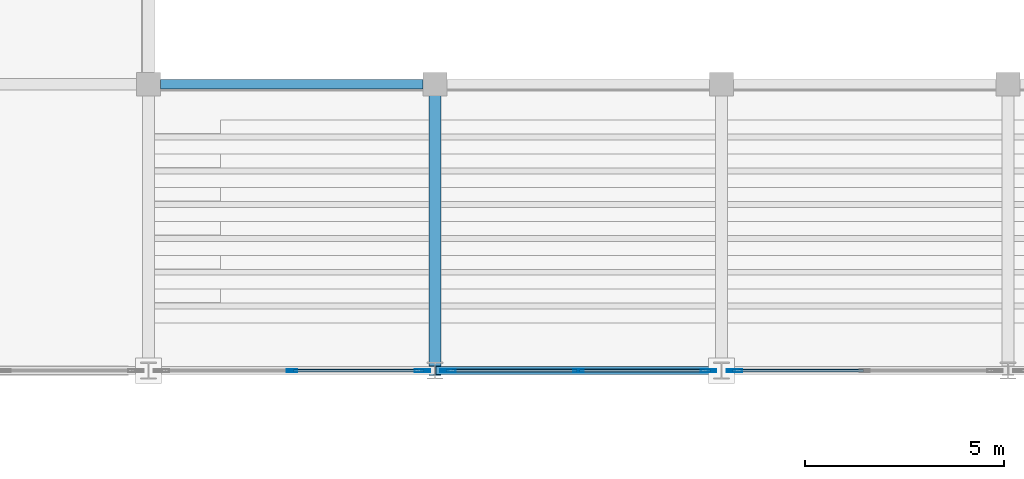
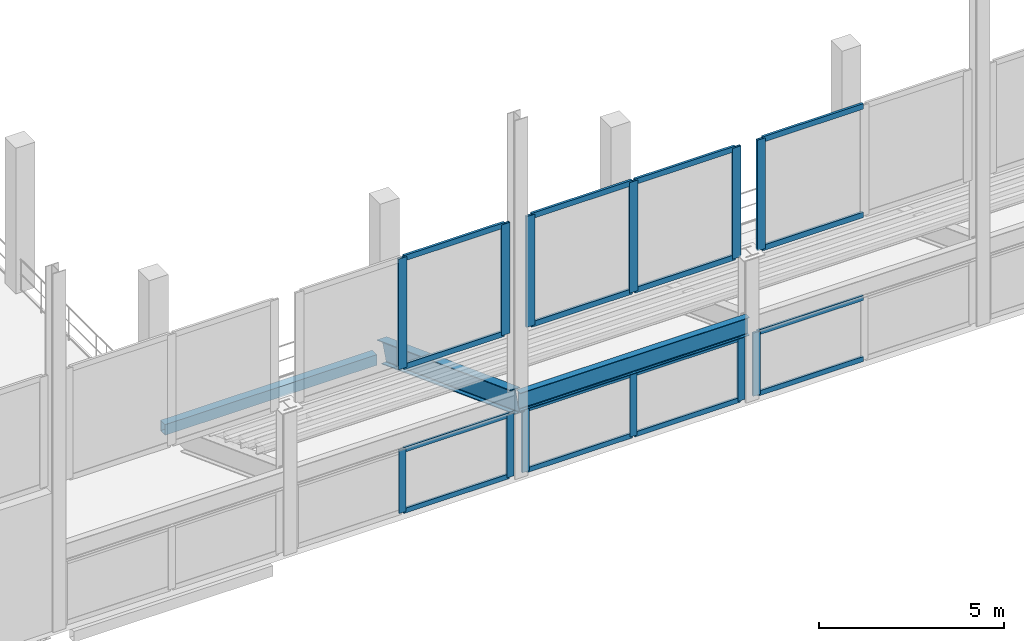
# One storey, part 20 of 120: 28 members, 3 beams, 6 elements without a shape of their own.
"""IFC4 building model written with IfcOpenShell, lengths in metres."""

from ifc_helpers import new_model, si_unit, direction, frame, origin, origin_2d, place, context, subcontext, project, spatial, hollow_rectangle, i_section, extrude, material, material_profile, profile_set, type_object, element, aggregate, save


model = new_model("IFC4")

# Units and contexts
model_context = context("Model", 3, precision=1e-05, world=origin(), true_north=direction((0.0, 1.0)))
body_context = subcontext(model_context, "Body", "Model", "MODEL_VIEW")
ifc_project = project(units=[si_unit("LENGTHUNIT", "METRE"), si_unit("AREAUNIT", "SQUARE_METRE"), si_unit("VOLUMEUNIT", "CUBIC_METRE"), si_unit("PLANEANGLEUNIT", "RADIAN"), si_unit("MASSUNIT", "GRAM", prefix="KILO")], contexts=[model_context])

# Site, building, storey
site_placement = place(None, origin())
site = spatial("IfcSite", under=ifc_project, at=site_placement, CompositionType="ELEMENT")
building_placement = place(site_placement, origin())
building = spatial("IfcBuilding", under=site, at=building_placement, Name="Vesperath Aquatics Centre", CompositionType="ELEMENT")
storey_placement = place(building_placement, frame((0.0, 0.0, 10.199951171875)))
storey = spatial("IfcBuildingStorey", under=building, at=storey_placement, Name="L02", CompositionType="ELEMENT", Elevation=10.199951171875)

# Beams
ifc_material_1 = material(Name="Steel Q355D", Category="steel")
ifc_material_profile_1 = material_profile(ifc_material_1, i_section(OverallWidth=0.300048828125, OverallDepth=0.699951171875, WebThickness=0.012939453125, FlangeThickness=0.02392578125, FilletRadius=0.028076171875, at=origin_2d()), Name="HN 700x300x13x24")
ifc_profile_set_1 = profile_set([ifc_material_profile_1], Name="Steel Q355D")
beam_type_1 = type_object("IfcBeamType", Name="BM-RK02", PredefinedType="USERDEFINED", material=ifc_profile_set_1)
beam_1_placement = place(storey_placement, frame((21.60009765625, 21.60009765625, -0.300048828125), z_axis=(0.0, -0.93632395855, 0.351137358659), x_axis=(1.0, 0.0, 0.0)))
element("IfcBeam", 1, at=beam_1_placement, inside=storey, type_object=beam_type_1, Name="Upper Stand RAKER Beam RK02 South 4", ObjectType="RAKER", PredefinedType="USERDEFINED", context=body_context, shape_type="SweptSolid", body=[
    extrude(i_section(OverallWidth=0.300048828125, OverallDepth=0.699951171875, WebThickness=0.012939453125, FlangeThickness=0.02392578125, FilletRadius=0.028076171875, at=origin_2d()), origin(), (0.0, 0.0, 1.0), 7.68994140625),
])
ifc_material_profile_2 = material_profile(ifc_material_1, i_section(OverallWidth=0.199951171875, OverallDepth=0.60009765625, WebThickness=0.010986328125, FlangeThickness=0.01708984375, FilletRadius=0.02197265625, at=origin_2d()), Name="HN 600x200x11x17")
ifc_profile_set_2 = profile_set([ifc_material_profile_2], Name="Steel Q355D")
beam_type_2 = type_object("IfcBeamType", Name="BM-RKH1", PredefinedType="BEAM", material=ifc_profile_set_2)
beam_2_placement = place(storey_placement, frame((21.6201171875, 14.39990234375, 2.400146484375), z_axis=(1.0, 0.0, 0.0), x_axis=(0.0, 1.0, 0.0)))
element("IfcBeam", 2, at=beam_2_placement, inside=storey, type_object=beam_type_2, Name="Upper Bowl Rim Girder RKH1 South 4-5", PredefinedType="BEAM", context=body_context, shape_type="SweptSolid", body=[
    extrude(i_section(OverallWidth=0.199951171875, OverallDepth=0.60009765625, WebThickness=0.010986328125, FlangeThickness=0.01708984375, FilletRadius=0.02197265625, at=origin_2d()), origin(), (0.0, 0.0, 1.0), 7.159912109375),
])
ifc_material_profile_3 = material_profile(ifc_material_1, hollow_rectangle(XDim=0.25, YDim=0.35009765625, WallThickness=0.011962890625, at=origin_2d()), Name="RHS 350x250x12")
ifc_profile_set_3 = profile_set([ifc_material_profile_3], Name="Steel Q355D")
beam_type_3 = type_object("IfcBeamType", Name="BM-SP02", PredefinedType="SPANDREL", material=ifc_profile_set_3)
beam_3_placement = place(storey_placement, frame((14.699951171875, 21.60009765625, -0.43505859375), z_axis=(1.0, 0.0, 0.0), x_axis=(0.0, 1.0, 0.0)))
element("IfcBeam", 3, at=beam_3_placement, inside=storey, type_object=beam_type_3, Name="Floor Girder SP02 L02 D 3-4", PredefinedType="SPANDREL", context=body_context, shape_type="SweptSolid", body=[
    extrude(hollow_rectangle(XDim=0.25, YDim=0.35009765625, WallThickness=0.011962890625, at=origin_2d()), origin(), (0.0, 0.0, 1.0), 6.60009765625),
])

# Curtain wall, members
ifc_material_2 = material(Name="Thermally broken anodised bronze aluminium curtain wall", Category="aluminium")
curtain_wall_type_1 = type_object("IfcCurtainWallType", Name="CW-08", PredefinedType="NOTDEFINED", material=ifc_material_2)
curtain_wall_1_placement = place(storey_placement, origin())
curtain_wall_1 = element("IfcCurtainWall", 4, at=curtain_wall_1_placement, inside=storey, type_object=curtain_wall_type_1, Name="Natatorium Gable West Curtain Wall CW08 S-2W", PredefinedType="NOTDEFINED")
ifc_material_3 = material(Name="Thermally broken anodised aluminium", Category="aluminium")
ifc_material_profile_4 = material_profile(ifc_material_3, hollow_rectangle(XDim=0.074951171875, YDim=0.260009765625, WallThickness=0.006103515625, at=origin_2d()), Name="CWM 75x260x6")
ifc_profile_set_4 = profile_set([ifc_material_profile_4], Name="Thermally broken anodised aluminium")
member_type_1 = type_object("IfcMemberType", Name="MB-CWM1", PredefinedType="MULLION", material=ifc_profile_set_4)
member_1_placement = place(storey_placement, frame((18.0, 14.39990234375, 4.75), z_axis=(0.0, 0.0, 1.0), x_axis=(0.0, 1.0, 0.0)))
member_1 = element("IfcMember", 5, at=member_1_placement, type_object=member_type_1, Name="CW08 mullion 2", PredefinedType="MULLION", context=body_context, shape_type="SweptSolid", body=[
    extrude(hollow_rectangle(XDim=0.074951171875, YDim=0.260009765625, WallThickness=0.006103515625, at=origin_2d()), origin(), (0.0, 0.0, 1.0), 3.650146484375),
])
member_2_placement = place(storey_placement, frame((21.21240234375, 14.39990234375, 4.75), z_axis=(0.0, 0.0, 1.0), x_axis=(0.0, 1.0, 0.0)))
member_2 = element("IfcMember", 6, at=member_2_placement, type_object=member_type_1, Name="CW08 mullion 3", PredefinedType="MULLION", context=body_context, shape_type="SweptSolid", body=[
    extrude(hollow_rectangle(XDim=0.074951171875, YDim=0.260009765625, WallThickness=0.006103515625, at=origin_2d()), origin(), (0.0, 0.0, 1.0), 3.650146484375),
])

curtain_wall_2_placement = place(storey_placement, origin())
curtain_wall_2 = element("IfcCurtainWall", 7, at=curtain_wall_2_placement, inside=storey, type_object=curtain_wall_type_1, Name="Natatorium Gable East Curtain Wall CW08 S-2E", PredefinedType="NOTDEFINED")
member_3_placement = place(storey_placement, frame((21.987548828125, 14.39990234375, 4.75), z_axis=(0.0, 0.0, 1.0), x_axis=(0.0, 1.0, 0.0)))
member_3 = element("IfcMember", 8, at=member_3_placement, type_object=member_type_1, Name="CW08 mullion 1", PredefinedType="MULLION", context=body_context, shape_type="SweptSolid", body=[
    extrude(hollow_rectangle(XDim=0.074951171875, YDim=0.260009765625, WallThickness=0.006103515625, at=origin_2d()), origin(), (0.0, 0.0, 1.0), 3.650146484375),
])
member_4_placement = place(storey_placement, frame((25.199951171875, 14.39990234375, 4.75), z_axis=(0.0, 0.0, 1.0), x_axis=(0.0, 1.0, 0.0)))
member_4 = element("IfcMember", 9, at=member_4_placement, type_object=member_type_1, Name="CW08 mullion 2", PredefinedType="MULLION", context=body_context, shape_type="SweptSolid", body=[
    extrude(hollow_rectangle(XDim=0.074951171875, YDim=0.260009765625, WallThickness=0.006103515625, at=origin_2d()), origin(), (0.0, 0.0, 1.0), 3.650146484375),
])
member_5_placement = place(storey_placement, frame((28.41259765625, 14.39990234375, 4.75), z_axis=(0.0, 0.0, 1.0), x_axis=(0.0, 1.0, 0.0)))
member_5 = element("IfcMember", 10, at=member_5_placement, type_object=member_type_1, Name="CW08 mullion 3", PredefinedType="MULLION", context=body_context, shape_type="SweptSolid", body=[
    extrude(hollow_rectangle(XDim=0.074951171875, YDim=0.260009765625, WallThickness=0.006103515625, at=origin_2d()), origin(), (0.0, 0.0, 1.0), 3.650146484375),
])

# Curtain wall, member
curtain_wall_3_placement = place(storey_placement, origin())
curtain_wall_3 = element("IfcCurtainWall", 11, at=curtain_wall_3_placement, inside=storey, type_object=curtain_wall_type_1, Name="Natatorium Gable West Curtain Wall CW08 S-3W", PredefinedType="NOTDEFINED")
member_6_placement = place(storey_placement, frame((29.1875, 14.39990234375, 4.75), z_axis=(0.0, 0.0, 1.0), x_axis=(0.0, 1.0, 0.0)))
member_6 = element("IfcMember", 12, at=member_6_placement, type_object=member_type_1, Name="CW08 mullion 1", PredefinedType="MULLION", context=body_context, shape_type="SweptSolid", body=[
    extrude(hollow_rectangle(XDim=0.074951171875, YDim=0.260009765625, WallThickness=0.006103515625, at=origin_2d()), origin(), (0.0, 0.0, 1.0), 3.650146484375),
])

# Curtain wall, members
curtain_wall_type_2 = type_object("IfcCurtainWallType", Name="CW-06", PredefinedType="NOTDEFINED", material=ifc_material_2)
curtain_wall_4_placement = place(storey_placement, origin())
curtain_wall_4 = element("IfcCurtainWall", 13, at=curtain_wall_4_placement, inside=storey, type_object=curtain_wall_type_2, Name="Facade Curtain Wall CW06 L02_S_02_02", PredefinedType="NOTDEFINED")
ifc_material_profile_5 = material_profile(ifc_material_3, hollow_rectangle(XDim=0.070068359375, YDim=0.219970703125, WallThickness=0.0048828125, at=origin_2d()), Name="CWM 70x220x5")
ifc_profile_set_5 = profile_set([ifc_material_profile_5], Name="Thermally broken anodised aluminium")
member_type_2 = type_object("IfcMemberType", Name="MB-CWM2", PredefinedType="MULLION", material=ifc_profile_set_5)
member_7_placement = place(storey_placement, frame((18.0, 14.39990234375, 0.0), z_axis=(0.0, 0.0, 1.0), x_axis=(0.0, 1.0, 0.0)))
member_7 = element("IfcMember", 14, at=member_7_placement, type_object=member_type_2, Name="CW06 mullion 2", PredefinedType="MULLION", context=body_context, shape_type="SweptSolid", body=[
    extrude(hollow_rectangle(XDim=0.070068359375, YDim=0.219970703125, WallThickness=0.0048828125, at=origin_2d()), origin(), (0.0, 0.0, 1.0), 2.080078125),
])
member_8_placement = place(storey_placement, frame((21.361572265625, 14.39990234375, 0.0), z_axis=(0.0, 0.0, 1.0), x_axis=(0.0, 1.0, 0.0)))
member_8 = element("IfcMember", 15, at=member_8_placement, type_object=member_type_2, Name="CW06 mullion 3", PredefinedType="MULLION", context=body_context, shape_type="SweptSolid", body=[
    extrude(hollow_rectangle(XDim=0.070068359375, YDim=0.219970703125, WallThickness=0.0048828125, at=origin_2d()), origin(), (0.0, 0.0, 1.0), 2.080078125),
])

curtain_wall_5_placement = place(storey_placement, origin())
curtain_wall_5 = element("IfcCurtainWall", 16, at=curtain_wall_5_placement, inside=storey, type_object=curtain_wall_type_2, Name="Facade Curtain Wall CW06 L02_S_03_02", PredefinedType="NOTDEFINED")
member_9_placement = place(storey_placement, frame((21.83837890625, 14.39990234375, 0.0), z_axis=(0.0, 0.0, 1.0), x_axis=(0.0, 1.0, 0.0)))
member_9 = element("IfcMember", 17, at=member_9_placement, type_object=member_type_2, Name="CW06 mullion 1", PredefinedType="MULLION", context=body_context, shape_type="SweptSolid", body=[
    extrude(hollow_rectangle(XDim=0.070068359375, YDim=0.219970703125, WallThickness=0.0048828125, at=origin_2d()), origin(), (0.0, 0.0, 1.0), 2.080078125),
])
member_10_placement = place(storey_placement, frame((25.199951171875, 14.39990234375, 0.0), z_axis=(0.0, 0.0, 1.0), x_axis=(0.0, 1.0, 0.0)))
member_10 = element("IfcMember", 18, at=member_10_placement, type_object=member_type_2, Name="CW06 mullion 2", PredefinedType="MULLION", context=body_context, shape_type="SweptSolid", body=[
    extrude(hollow_rectangle(XDim=0.070068359375, YDim=0.219970703125, WallThickness=0.0048828125, at=origin_2d()), origin(), (0.0, 0.0, 1.0), 2.080078125),
])
member_11_placement = place(storey_placement, frame((28.5615234375, 14.39990234375, 0.0), z_axis=(0.0, 0.0, 1.0), x_axis=(0.0, 1.0, 0.0)))
member_11 = element("IfcMember", 19, at=member_11_placement, type_object=member_type_2, Name="CW06 mullion 3", PredefinedType="MULLION", context=body_context, shape_type="SweptSolid", body=[
    extrude(hollow_rectangle(XDim=0.070068359375, YDim=0.219970703125, WallThickness=0.0048828125, at=origin_2d()), origin(), (0.0, 0.0, 1.0), 2.080078125),
])

# Curtain wall, member
curtain_wall_6_placement = place(storey_placement, origin())
curtain_wall_6 = element("IfcCurtainWall", 20, at=curtain_wall_6_placement, inside=storey, type_object=curtain_wall_type_2, Name="Facade Curtain Wall CW06 L02_S_04_02", PredefinedType="NOTDEFINED")
member_12_placement = place(storey_placement, frame((29.03857421875, 14.39990234375, 0.0), z_axis=(0.0, 0.0, 1.0), x_axis=(0.0, 1.0, 0.0)))
member_12 = element("IfcMember", 21, at=member_12_placement, type_object=member_type_2, Name="CW06 mullion 1", PredefinedType="MULLION", context=body_context, shape_type="SweptSolid", body=[
    extrude(hollow_rectangle(XDim=0.070068359375, YDim=0.219970703125, WallThickness=0.0048828125, at=origin_2d()), origin(), (0.0, 0.0, 1.0), 2.080078125),
])

# Member
ifc_material_profile_6 = material_profile(ifc_material_3, hollow_rectangle(XDim=0.074951171875, YDim=0.179931640625, WallThickness=0.0048828125, at=origin_2d()), Name="CWT 75x180x5")
ifc_profile_set_6 = profile_set([ifc_material_profile_6], Name="Thermally broken anodised aluminium")
member_type_3 = type_object("IfcMemberType", Name="MB-CWT1", PredefinedType="USERDEFINED", material=ifc_profile_set_6)
member_13_placement = place(storey_placement, frame((18.03759765625, 14.39990234375, 4.78759765625), z_axis=(1.0, 0.0, 0.0), x_axis=(0.0, 1.0, 0.0)))
member_13 = element("IfcMember", 22, at=member_13_placement, type_object=member_type_3, Name="CW08 transom 2.1", ObjectType="TRANSOM", PredefinedType="USERDEFINED", context=body_context, shape_type="SweptSolid", body=[
    extrude(hollow_rectangle(XDim=0.074951171875, YDim=0.179931640625, WallThickness=0.0048828125, at=origin_2d()), origin(), (0.0, 0.0, 1.0), 3.137451171875),
])

member_14_placement = place(storey_placement, frame((18.03759765625, 14.39990234375, 8.362548828125), z_axis=(1.0, 0.0, 0.0), x_axis=(0.0, 1.0, 0.0)))
member_14 = element("IfcMember", 23, at=member_14_placement, type_object=member_type_3, Name="CW08 transom 2.2", ObjectType="TRANSOM", PredefinedType="USERDEFINED", context=body_context, shape_type="SweptSolid", body=[
    extrude(hollow_rectangle(XDim=0.074951171875, YDim=0.179931640625, WallThickness=0.0048828125, at=origin_2d()), origin(), (0.0, 0.0, 1.0), 3.137451171875),
])

aggregate(curtain_wall_1, [member_1, member_2, member_13, member_14])

member_15_placement = place(storey_placement, frame((22.02490234375, 14.39990234375, 4.78759765625), z_axis=(1.0, 0.0, 0.0), x_axis=(0.0, 1.0, 0.0)))
member_15 = element("IfcMember", 24, at=member_15_placement, type_object=member_type_3, Name="CW08 transom 1.1", ObjectType="TRANSOM", PredefinedType="USERDEFINED", context=body_context, shape_type="SweptSolid", body=[
    extrude(hollow_rectangle(XDim=0.074951171875, YDim=0.179931640625, WallThickness=0.0048828125, at=origin_2d()), origin(), (0.0, 0.0, 1.0), 3.1376953125),
])

member_16_placement = place(storey_placement, frame((22.02490234375, 14.39990234375, 8.362548828125), z_axis=(1.0, 0.0, 0.0), x_axis=(0.0, 1.0, 0.0)))
member_16 = element("IfcMember", 25, at=member_16_placement, type_object=member_type_3, Name="CW08 transom 1.2", ObjectType="TRANSOM", PredefinedType="USERDEFINED", context=body_context, shape_type="SweptSolid", body=[
    extrude(hollow_rectangle(XDim=0.074951171875, YDim=0.179931640625, WallThickness=0.0048828125, at=origin_2d()), origin(), (0.0, 0.0, 1.0), 3.1376953125),
])

member_17_placement = place(storey_placement, frame((25.237548828125, 14.39990234375, 4.78759765625), z_axis=(1.0, 0.0, 0.0), x_axis=(0.0, 1.0, 0.0)))
member_17 = element("IfcMember", 26, at=member_17_placement, type_object=member_type_3, Name="CW08 transom 2.1", ObjectType="TRANSOM", PredefinedType="USERDEFINED", context=body_context, shape_type="SweptSolid", body=[
    extrude(hollow_rectangle(XDim=0.074951171875, YDim=0.179931640625, WallThickness=0.0048828125, at=origin_2d()), origin(), (0.0, 0.0, 1.0), 3.137451171875),
])

member_18_placement = place(storey_placement, frame((25.237548828125, 14.39990234375, 8.362548828125), z_axis=(1.0, 0.0, 0.0), x_axis=(0.0, 1.0, 0.0)))
member_18 = element("IfcMember", 27, at=member_18_placement, type_object=member_type_3, Name="CW08 transom 2.2", ObjectType="TRANSOM", PredefinedType="USERDEFINED", context=body_context, shape_type="SweptSolid", body=[
    extrude(hollow_rectangle(XDim=0.074951171875, YDim=0.179931640625, WallThickness=0.0048828125, at=origin_2d()), origin(), (0.0, 0.0, 1.0), 3.137451171875),
])

aggregate(curtain_wall_2, [member_3, member_4, member_5, member_15, member_16, member_17, member_18])

member_19_placement = place(storey_placement, frame((29.22509765625, 14.39990234375, 4.78759765625), z_axis=(1.0, 0.0, 0.0), x_axis=(0.0, 1.0, 0.0)))
member_19 = element("IfcMember", 28, at=member_19_placement, type_object=member_type_3, Name="CW08 transom 1.1", ObjectType="TRANSOM", PredefinedType="USERDEFINED", context=body_context, shape_type="SweptSolid", body=[
    extrude(hollow_rectangle(XDim=0.074951171875, YDim=0.179931640625, WallThickness=0.0048828125, at=origin_2d()), origin(), (0.0, 0.0, 1.0), 3.137451171875),
])

member_20_placement = place(storey_placement, frame((29.22509765625, 14.39990234375, 8.362548828125), z_axis=(1.0, 0.0, 0.0), x_axis=(0.0, 1.0, 0.0)))
member_20 = element("IfcMember", 29, at=member_20_placement, type_object=member_type_3, Name="CW08 transom 1.2", ObjectType="TRANSOM", PredefinedType="USERDEFINED", context=body_context, shape_type="SweptSolid", body=[
    extrude(hollow_rectangle(XDim=0.074951171875, YDim=0.179931640625, WallThickness=0.0048828125, at=origin_2d()), origin(), (0.0, 0.0, 1.0), 3.137451171875),
])

aggregate(curtain_wall_3, [member_6, member_19, member_20])

ifc_material_profile_7 = material_profile(ifc_material_3, hollow_rectangle(XDim=0.070068359375, YDim=0.159912109375, WallThickness=0.0048828125, at=origin_2d()), Name="CWT 70x160x5")
ifc_profile_set_7 = profile_set([ifc_material_profile_7], Name="Thermally broken anodised aluminium")
member_type_4 = type_object("IfcMemberType", Name="MB-CWT2", PredefinedType="USERDEFINED", material=ifc_profile_set_7)
member_21_placement = place(storey_placement, frame((18.034912109375, 14.39990234375, 0.03515625), z_axis=(1.0, 0.0, 0.0), x_axis=(0.0, 1.0, 0.0)))
member_21 = element("IfcMember", 30, at=member_21_placement, type_object=member_type_4, Name="CW06 transom 2.1", ObjectType="TRANSOM", PredefinedType="USERDEFINED", context=body_context, shape_type="SweptSolid", body=[
    extrude(hollow_rectangle(XDim=0.070068359375, YDim=0.159912109375, WallThickness=0.0048828125, at=origin_2d()), origin(), (0.0, 0.0, 1.0), 3.29150390625),
])

member_22_placement = place(storey_placement, frame((18.034912109375, 14.39990234375, 2.045166015625), z_axis=(1.0, 0.0, 0.0), x_axis=(0.0, 1.0, 0.0)))
member_22 = element("IfcMember", 31, at=member_22_placement, type_object=member_type_4, Name="CW06 transom 2.2", ObjectType="TRANSOM", PredefinedType="USERDEFINED", context=body_context, shape_type="SweptSolid", body=[
    extrude(hollow_rectangle(XDim=0.070068359375, YDim=0.159912109375, WallThickness=0.0048828125, at=origin_2d()), origin(), (0.0, 0.0, 1.0), 3.29150390625),
])

aggregate(curtain_wall_4, [member_7, member_8, member_21, member_22])

member_23_placement = place(storey_placement, frame((21.87353515625, 14.39990234375, 0.03515625), z_axis=(1.0, 0.0, 0.0), x_axis=(0.0, 1.0, 0.0)))
member_23 = element("IfcMember", 32, at=member_23_placement, type_object=member_type_4, Name="CW06 transom 1.1", ObjectType="TRANSOM", PredefinedType="USERDEFINED", context=body_context, shape_type="SweptSolid", body=[
    extrude(hollow_rectangle(XDim=0.070068359375, YDim=0.159912109375, WallThickness=0.0048828125, at=origin_2d()), origin(), (0.0, 0.0, 1.0), 3.29150390625),
])

member_24_placement = place(storey_placement, frame((21.87353515625, 14.39990234375, 2.045166015625), z_axis=(1.0, 0.0, 0.0), x_axis=(0.0, 1.0, 0.0)))
member_24 = element("IfcMember", 33, at=member_24_placement, type_object=member_type_4, Name="CW06 transom 1.2", ObjectType="TRANSOM", PredefinedType="USERDEFINED", context=body_context, shape_type="SweptSolid", body=[
    extrude(hollow_rectangle(XDim=0.070068359375, YDim=0.159912109375, WallThickness=0.0048828125, at=origin_2d()), origin(), (0.0, 0.0, 1.0), 3.29150390625),
])

member_25_placement = place(storey_placement, frame((25.235107421875, 14.39990234375, 0.03515625), z_axis=(1.0, 0.0, 0.0), x_axis=(0.0, 1.0, 0.0)))
member_25 = element("IfcMember", 34, at=member_25_placement, type_object=member_type_4, Name="CW06 transom 2.1", ObjectType="TRANSOM", PredefinedType="USERDEFINED", context=body_context, shape_type="SweptSolid", body=[
    extrude(hollow_rectangle(XDim=0.070068359375, YDim=0.159912109375, WallThickness=0.0048828125, at=origin_2d()), origin(), (0.0, 0.0, 1.0), 3.29150390625),
])

member_26_placement = place(storey_placement, frame((25.235107421875, 14.39990234375, 2.045166015625), z_axis=(1.0, 0.0, 0.0), x_axis=(0.0, 1.0, 0.0)))
member_26 = element("IfcMember", 35, at=member_26_placement, type_object=member_type_4, Name="CW06 transom 2.2", ObjectType="TRANSOM", PredefinedType="USERDEFINED", context=body_context, shape_type="SweptSolid", body=[
    extrude(hollow_rectangle(XDim=0.070068359375, YDim=0.159912109375, WallThickness=0.0048828125, at=origin_2d()), origin(), (0.0, 0.0, 1.0), 3.29150390625),
])

aggregate(curtain_wall_5, [member_9, member_10, member_11, member_23, member_24, member_25, member_26])

member_27_placement = place(storey_placement, frame((29.073486328125, 14.39990234375, 0.03515625), z_axis=(1.0, 0.0, 0.0), x_axis=(0.0, 1.0, 0.0)))
member_27 = element("IfcMember", 36, at=member_27_placement, type_object=member_type_4, Name="CW06 transom 1.1", ObjectType="TRANSOM", PredefinedType="USERDEFINED", context=body_context, shape_type="SweptSolid", body=[
    extrude(hollow_rectangle(XDim=0.070068359375, YDim=0.159912109375, WallThickness=0.0048828125, at=origin_2d()), origin(), (0.0, 0.0, 1.0), 3.29150390625),
])

member_28_placement = place(storey_placement, frame((29.073486328125, 14.39990234375, 2.045166015625), z_axis=(1.0, 0.0, 0.0), x_axis=(0.0, 1.0, 0.0)))
member_28 = element("IfcMember", 37, at=member_28_placement, type_object=member_type_4, Name="CW06 transom 1.2", ObjectType="TRANSOM", PredefinedType="USERDEFINED", context=body_context, shape_type="SweptSolid", body=[
    extrude(hollow_rectangle(XDim=0.070068359375, YDim=0.159912109375, WallThickness=0.0048828125, at=origin_2d()), origin(), (0.0, 0.0, 1.0), 3.29150390625),
])

aggregate(curtain_wall_6, [member_12, member_27, member_28])

save(model, "model.ifc")
